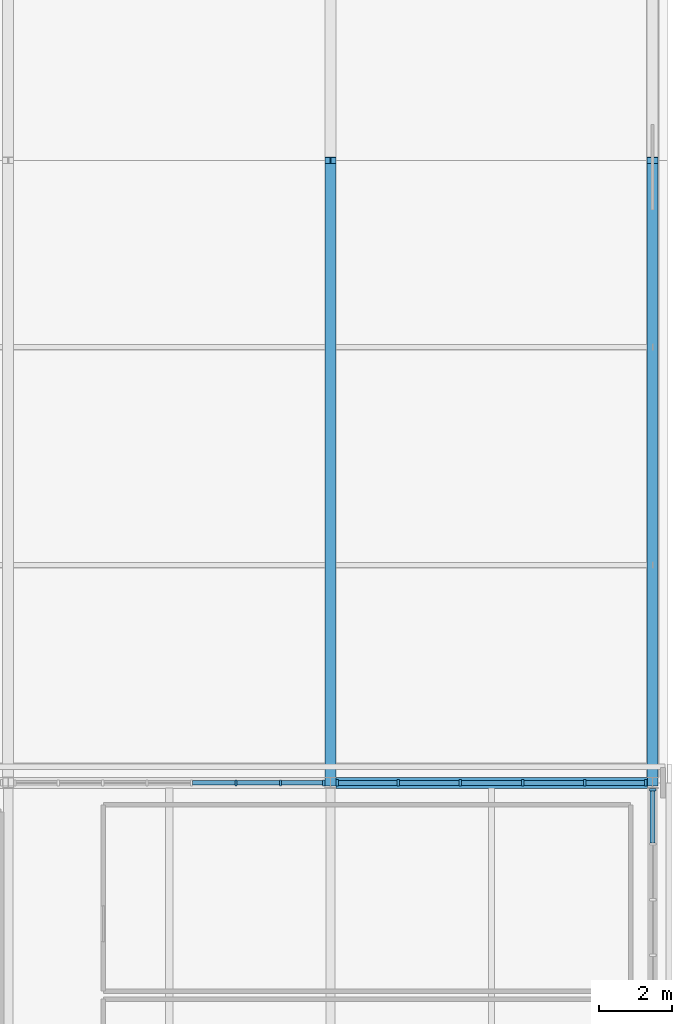
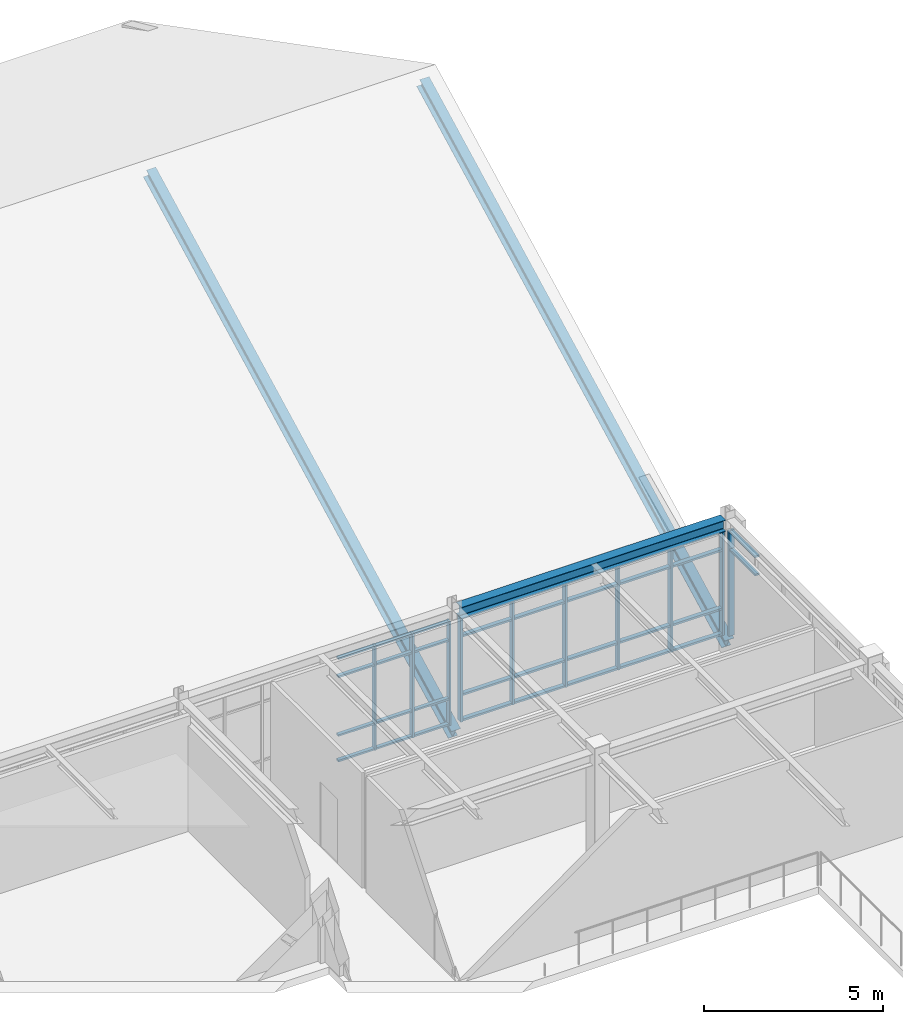
# One storey, part 20 of 45: 46 members, 1 beam, 3 elements without a shape of their own.
"""IFC4 building model written with IfcOpenShell, lengths in metres."""

from ifc_helpers import new_model, si_unit, direction, frame, origin, origin_2d, place, context, subcontext, project, spatial, rectangle, i_section, extrude, material, material_profile, profile_set, type_object, element, aggregate, save


model = new_model("IFC4")

# Units and contexts
model_context = context("Model", 3, precision=1e-05, world=origin(), true_north=direction((0.0, 1.0)))
body_context = subcontext(model_context, "Body", "Model", "MODEL_VIEW")
ifc_project = project(units=[si_unit("LENGTHUNIT", "METRE"), si_unit("AREAUNIT", "SQUARE_METRE"), si_unit("VOLUMEUNIT", "CUBIC_METRE"), si_unit("PLANEANGLEUNIT", "RADIAN"), si_unit("MASSUNIT", "GRAM", prefix="KILO")], contexts=[model_context])

# Site, building, storey
site_placement = place(None, origin())
site = spatial("IfcSite", under=ifc_project, at=site_placement, CompositionType="ELEMENT")
building_placement = place(site_placement, origin())
building = spatial("IfcBuilding", under=site, at=building_placement, Name="Zhaolan Boulevard Law Courts", CompositionType="ELEMENT")
storey_placement = place(building_placement, frame((0.0, 0.0, 24.60009765625)))
storey = spatial("IfcBuildingStorey", under=building, at=storey_placement, Name="L05", CompositionType="ELEMENT", Elevation=24.60009765625)

# Curtain wall, members
ifc_material_1 = material(Name="Thermally broken aluminium and low-E glazing", Category="aluminium")
curtain_wall_type_1 = type_object("IfcCurtainWallType", Name="CURTAIN WALL M18", PredefinedType="USERDEFINED", material=ifc_material_1)
curtain_wall_1_placement = place(storey_placement, origin())
curtain_wall_1 = element("IfcCurtainWall", 1, at=curtain_wall_1_placement, inside=storey, type_object=curtain_wall_type_1, Name="Curtain Wall CW-L05-210", ObjectType="CURTAIN WALL", PredefinedType="USERDEFINED")
ifc_material_2 = material(Name="Fluorocarbon-coated aluminium 6063-T6", Category="aluminium")
ifc_material_profile_1 = material_profile(ifc_material_2, rectangle(XDim=0.159912109375, YDim=0.06005859375, at=origin_2d()), Name="AL60x160")
ifc_profile_set_1 = profile_set([ifc_material_profile_1], Name="Fluorocarbon-coated aluminium 6063-T6")
member_type_1 = type_object("IfcMemberType", Name="CWMULLION 60X160", PredefinedType="MULLION", material=ifc_profile_set_1)
member_1_placement = place(storey_placement, frame((35.01806640625, 78.0, 0.0), z_axis=(0.0, 0.0, 1.0), x_axis=(0.0, -1.0, 0.0)))
member_1 = element("IfcMember", 2, at=member_1_placement, type_object=member_type_1, Name="CW-L05-210 mullion 1", PredefinedType="MULLION", context=body_context, shape_type="SweptSolid", body=[
    extrude(rectangle(XDim=0.159912109375, YDim=0.06005859375, at=origin_2d()), origin(), (0.0, 0.0, 1.0), 3.54296875),
])
member_2_placement = place(storey_placement, frame((33.834228515625, 78.0, 0.0), z_axis=(0.0, 0.0, 1.0), x_axis=(0.0, -1.0, 0.0)))
member_2 = element("IfcMember", 3, at=member_2_placement, type_object=member_type_1, Name="CW-L05-210 mullion 2", PredefinedType="MULLION", context=body_context, shape_type="SweptSolid", body=[
    extrude(rectangle(XDim=0.159912109375, YDim=0.06005859375, at=origin_2d()), origin(), (0.0, 0.0, 1.0), 3.54296875),
])
member_3_placement = place(storey_placement, frame((32.62060546875, 78.0, 0.0), z_axis=(0.0, 0.0, 1.0), x_axis=(0.0, -1.0, 0.0)))
member_3 = element("IfcMember", 4, at=member_3_placement, type_object=member_type_1, Name="CW-L05-210 mullion 3", PredefinedType="MULLION", context=body_context, shape_type="SweptSolid", body=[
    extrude(rectangle(XDim=0.159912109375, YDim=0.06005859375, at=origin_2d()), origin(), (0.0, 0.0, 1.0), 3.54296875),
])

ifc_material_3 = material(Name="Thermally broken aluminium and low-E glazing", Category="aluminium")
curtain_wall_type_2 = type_object("IfcCurtainWallType", Name="CURTAIN WALL M19", PredefinedType="USERDEFINED", material=ifc_material_3)
curtain_wall_2_placement = place(storey_placement, origin())
curtain_wall_2 = element("IfcCurtainWall", 5, at=curtain_wall_2_placement, inside=storey, type_object=curtain_wall_type_2, Name="Curtain Wall CW-L05-211", ObjectType="CURTAIN WALL", PredefinedType="USERDEFINED")
ifc_material_4 = material(Name="Fluorocarbon-coated aluminium 6063-T6", Category="aluminium")
ifc_material_profile_2 = material_profile(ifc_material_4, rectangle(XDim=0.179931640625, YDim=0.06494140625, at=origin_2d()), Name="AL65x180")
ifc_profile_set_2 = profile_set([ifc_material_profile_2], Name="Fluorocarbon-coated aluminium 6063-T6")
member_type_2 = type_object("IfcMemberType", Name="CWMULLION 65X180", PredefinedType="MULLION", material=ifc_profile_set_2)
member_4_placement = place(storey_placement, frame((43.8154296875, 78.0, 0.0), z_axis=(0.0, 0.0, 1.0), x_axis=(0.0, -1.0, 0.0)))
member_4 = element("IfcMember", 6, at=member_4_placement, type_object=member_type_2, Name="CW-L05-211 mullion 1", PredefinedType="MULLION", context=body_context, shape_type="SweptSolid", body=[
    extrude(rectangle(XDim=0.179931640625, YDim=0.06494140625, at=origin_2d()), origin(), (0.0, 0.0, 1.0), 3.54296875),
])
member_5_placement = place(storey_placement, frame((42.148681640625, 78.0, 0.0), z_axis=(0.0, 0.0, 1.0), x_axis=(0.0, -1.0, 0.0)))
member_5 = element("IfcMember", 7, at=member_5_placement, type_object=member_type_2, Name="CW-L05-211 mullion 2", PredefinedType="MULLION", context=body_context, shape_type="SweptSolid", body=[
    extrude(rectangle(XDim=0.179931640625, YDim=0.06494140625, at=origin_2d()), origin(), (0.0, 0.0, 1.0), 3.54296875),
])
member_6_placement = place(storey_placement, frame((40.44970703125, 78.0, 0.0), z_axis=(0.0, 0.0, 1.0), x_axis=(0.0, -1.0, 0.0)))
member_6 = element("IfcMember", 8, at=member_6_placement, type_object=member_type_2, Name="CW-L05-211 mullion 3", PredefinedType="MULLION", context=body_context, shape_type="SweptSolid", body=[
    extrude(rectangle(XDim=0.179931640625, YDim=0.06494140625, at=origin_2d()), origin(), (0.0, 0.0, 1.0), 3.54296875),
])
member_7_placement = place(storey_placement, frame((38.75048828125, 78.0, 0.0), z_axis=(0.0, 0.0, 1.0), x_axis=(0.0, -1.0, 0.0)))
member_7 = element("IfcMember", 9, at=member_7_placement, type_object=member_type_2, Name="CW-L05-211 mullion 4", PredefinedType="MULLION", context=body_context, shape_type="SweptSolid", body=[
    extrude(rectangle(XDim=0.179931640625, YDim=0.06494140625, at=origin_2d()), origin(), (0.0, 0.0, 1.0), 3.54296875),
])
member_8_placement = place(storey_placement, frame((37.05126953125, 78.0, 0.0), z_axis=(0.0, 0.0, 1.0), x_axis=(0.0, -1.0, 0.0)))
member_8 = element("IfcMember", 10, at=member_8_placement, type_object=member_type_2, Name="CW-L05-211 mullion 5", PredefinedType="MULLION", context=body_context, shape_type="SweptSolid", body=[
    extrude(rectangle(XDim=0.179931640625, YDim=0.06494140625, at=origin_2d()), origin(), (0.0, 0.0, 1.0), 3.54296875),
])
member_9_placement = place(storey_placement, frame((35.384521484375, 78.0, 0.0), z_axis=(0.0, 0.0, 1.0), x_axis=(0.0, -1.0, 0.0)))
member_9 = element("IfcMember", 11, at=member_9_placement, type_object=member_type_2, Name="CW-L05-211 mullion 6", PredefinedType="MULLION", context=body_context, shape_type="SweptSolid", body=[
    extrude(rectangle(XDim=0.179931640625, YDim=0.06494140625, at=origin_2d()), origin(), (0.0, 0.0, 1.0), 3.54296875),
])

# Curtain wall, member
ifc_material_5 = material(Name="Thermally broken aluminium and low-E glazing", Category="aluminium")
curtain_wall_type_3 = type_object("IfcCurtainWallType", Name="CURTAIN WALL M7", PredefinedType="USERDEFINED", material=ifc_material_5)
curtain_wall_3_placement = place(storey_placement, origin())
curtain_wall_3 = element("IfcCurtainWall", 12, at=curtain_wall_3_placement, inside=storey, type_object=curtain_wall_type_3, Name="Curtain Wall CW-L05-223", ObjectType="CURTAIN WALL", PredefinedType="USERDEFINED")
member_10_placement = place(storey_placement, frame((44.0, 77.8154296875, 0.0), z_axis=(0.0, 0.0, 1.0), x_axis=(-1.0, 0.0, 0.0)))
member_10 = element("IfcMember", 13, at=member_10_placement, type_object=member_type_2, Name="CW-L05-223 mullion 6", PredefinedType="MULLION", context=body_context, shape_type="SweptSolid", body=[
    extrude(rectangle(XDim=0.179931640625, YDim=0.06494140625, at=origin_2d()), origin(), (0.0, 0.0, 1.0), 3.593017578125),
])

# Member
ifc_material_6 = material(Name="Fluorocarbon-coated aluminium 6063-T6", Category="aluminium")
ifc_material_profile_3 = material_profile(ifc_material_6, rectangle(XDim=0.1201171875, YDim=0.06005859375, at=origin_2d()), Name="AL60x120")
ifc_profile_set_3 = profile_set([ifc_material_profile_3], Name="Fluorocarbon-coated aluminium 6063-T6")
member_type_3 = type_object("IfcMemberType", Name="CWTRANSOM 60X120", PredefinedType="USERDEFINED", material=ifc_profile_set_3)
member_11_placement = place(storey_placement, frame((34.988037109375, 78.0, 0.02978515625), z_axis=(-1.0, 0.0, 0.0), x_axis=(0.0, -1.0, 0.0)))
member_11 = element("IfcMember", 14, at=member_11_placement, type_object=member_type_3, Name="CW-L05-210 transom 1.1", ObjectType="TRANSOM", PredefinedType="USERDEFINED", context=body_context, shape_type="SweptSolid", body=[
    extrude(rectangle(XDim=0.1201171875, YDim=0.06005859375, at=origin_2d()), origin(), (0.0, 0.0, 1.0), 1.123779296875),
])

member_12_placement = place(storey_placement, frame((34.988037109375, 78.0, 0.89990234375), z_axis=(-1.0, 0.0, 0.0), x_axis=(0.0, -1.0, 0.0)))
member_12 = element("IfcMember", 15, at=member_12_placement, type_object=member_type_3, Name="CW-L05-210 transom 1.2", ObjectType="TRANSOM", PredefinedType="USERDEFINED", context=body_context, shape_type="SweptSolid", body=[
    extrude(rectangle(XDim=0.1201171875, YDim=0.06005859375, at=origin_2d()), origin(), (0.0, 0.0, 1.0), 1.123779296875),
])

member_13_placement = place(storey_placement, frame((34.988037109375, 78.0, 2.892822265625), z_axis=(-1.0, 0.0, 0.0), x_axis=(0.0, -1.0, 0.0)))
member_13 = element("IfcMember", 16, at=member_13_placement, type_object=member_type_3, Name="CW-L05-210 transom 1.3", ObjectType="TRANSOM", PredefinedType="USERDEFINED", context=body_context, shape_type="SweptSolid", body=[
    extrude(rectangle(XDim=0.1201171875, YDim=0.06005859375, at=origin_2d()), origin(), (0.0, 0.0, 1.0), 1.123779296875),
])

member_14_placement = place(storey_placement, frame((34.988037109375, 78.0, 3.512939453125), z_axis=(-1.0, 0.0, 0.0), x_axis=(0.0, -1.0, 0.0)))
member_14 = element("IfcMember", 17, at=member_14_placement, type_object=member_type_3, Name="CW-L05-210 transom 1.4", ObjectType="TRANSOM", PredefinedType="USERDEFINED", context=body_context, shape_type="SweptSolid", body=[
    extrude(rectangle(XDim=0.1201171875, YDim=0.06005859375, at=origin_2d()), origin(), (0.0, 0.0, 1.0), 1.123779296875),
])

member_15_placement = place(storey_placement, frame((33.80419921875, 78.0, 0.02978515625), z_axis=(-1.0, 0.0, 0.0), x_axis=(0.0, -1.0, 0.0)))
member_15 = element("IfcMember", 18, at=member_15_placement, type_object=member_type_3, Name="CW-L05-210 transom 2.1", ObjectType="TRANSOM", PredefinedType="USERDEFINED", context=body_context, shape_type="SweptSolid", body=[
    extrude(rectangle(XDim=0.1201171875, YDim=0.06005859375, at=origin_2d()), origin(), (0.0, 0.0, 1.0), 1.153564453125),
])

member_16_placement = place(storey_placement, frame((33.80419921875, 78.0, 0.89990234375), z_axis=(-1.0, 0.0, 0.0), x_axis=(0.0, -1.0, 0.0)))
member_16 = element("IfcMember", 19, at=member_16_placement, type_object=member_type_3, Name="CW-L05-210 transom 2.2", ObjectType="TRANSOM", PredefinedType="USERDEFINED", context=body_context, shape_type="SweptSolid", body=[
    extrude(rectangle(XDim=0.1201171875, YDim=0.06005859375, at=origin_2d()), origin(), (0.0, 0.0, 1.0), 1.153564453125),
])

member_17_placement = place(storey_placement, frame((33.80419921875, 78.0, 2.892822265625), z_axis=(-1.0, 0.0, 0.0), x_axis=(0.0, -1.0, 0.0)))
member_17 = element("IfcMember", 20, at=member_17_placement, type_object=member_type_3, Name="CW-L05-210 transom 2.3", ObjectType="TRANSOM", PredefinedType="USERDEFINED", context=body_context, shape_type="SweptSolid", body=[
    extrude(rectangle(XDim=0.1201171875, YDim=0.06005859375, at=origin_2d()), origin(), (0.0, 0.0, 1.0), 1.153564453125),
])

member_18_placement = place(storey_placement, frame((33.80419921875, 78.0, 3.512939453125), z_axis=(-1.0, 0.0, 0.0), x_axis=(0.0, -1.0, 0.0)))
member_18 = element("IfcMember", 21, at=member_18_placement, type_object=member_type_3, Name="CW-L05-210 transom 2.4", ObjectType="TRANSOM", PredefinedType="USERDEFINED", context=body_context, shape_type="SweptSolid", body=[
    extrude(rectangle(XDim=0.1201171875, YDim=0.06005859375, at=origin_2d()), origin(), (0.0, 0.0, 1.0), 1.153564453125),
])

member_19_placement = place(storey_placement, frame((32.590576171875, 78.0, 0.02978515625), z_axis=(-1.0, 0.0, 0.0), x_axis=(0.0, -1.0, 0.0)))
member_19 = element("IfcMember", 22, at=member_19_placement, type_object=member_type_3, Name="CW-L05-210 transom 3.1", ObjectType="TRANSOM", PredefinedType="USERDEFINED", context=body_context, shape_type="SweptSolid", body=[
    extrude(rectangle(XDim=0.1201171875, YDim=0.06005859375, at=origin_2d()), origin(), (0.0, 0.0, 1.0), 1.15380859375),
])

member_20_placement = place(storey_placement, frame((32.590576171875, 78.0, 0.89990234375), z_axis=(-1.0, 0.0, 0.0), x_axis=(0.0, -1.0, 0.0)))
member_20 = element("IfcMember", 23, at=member_20_placement, type_object=member_type_3, Name="CW-L05-210 transom 3.2", ObjectType="TRANSOM", PredefinedType="USERDEFINED", context=body_context, shape_type="SweptSolid", body=[
    extrude(rectangle(XDim=0.1201171875, YDim=0.06005859375, at=origin_2d()), origin(), (0.0, 0.0, 1.0), 1.15380859375),
])

member_21_placement = place(storey_placement, frame((32.590576171875, 78.0, 2.892822265625), z_axis=(-1.0, 0.0, 0.0), x_axis=(0.0, -1.0, 0.0)))
member_21 = element("IfcMember", 24, at=member_21_placement, type_object=member_type_3, Name="CW-L05-210 transom 3.3", ObjectType="TRANSOM", PredefinedType="USERDEFINED", context=body_context, shape_type="SweptSolid", body=[
    extrude(rectangle(XDim=0.1201171875, YDim=0.06005859375, at=origin_2d()), origin(), (0.0, 0.0, 1.0), 1.15380859375),
])

member_22_placement = place(storey_placement, frame((32.590576171875, 78.0, 3.512939453125), z_axis=(-1.0, 0.0, 0.0), x_axis=(0.0, -1.0, 0.0)))
member_22 = element("IfcMember", 25, at=member_22_placement, type_object=member_type_3, Name="CW-L05-210 transom 3.4", ObjectType="TRANSOM", PredefinedType="USERDEFINED", context=body_context, shape_type="SweptSolid", body=[
    extrude(rectangle(XDim=0.1201171875, YDim=0.06005859375, at=origin_2d()), origin(), (0.0, 0.0, 1.0), 1.15380859375),
])

aggregate(curtain_wall_1, [member_1, member_2, member_3, member_11, member_12, member_13, member_14, member_15, member_16, member_17, member_18, member_19, member_20, member_21, member_22])

ifc_material_7 = material(Name="Fluorocarbon-coated aluminium 6063-T6", Category="aluminium")
ifc_material_profile_4 = material_profile(ifc_material_7, rectangle(XDim=0.139892578125, YDim=0.06494140625, at=origin_2d()), Name="AL65x140")
ifc_profile_set_4 = profile_set([ifc_material_profile_4], Name="Fluorocarbon-coated aluminium 6063-T6")
member_type_4 = type_object("IfcMemberType", Name="CWTRANSOM 65X140", PredefinedType="USERDEFINED", material=ifc_profile_set_4)
member_23_placement = place(storey_placement, frame((43.782958984375, 78.0, 0.032470703125), z_axis=(-1.0, 0.0, 0.0), x_axis=(0.0, -1.0, 0.0)))
member_23 = element("IfcMember", 26, at=member_23_placement, type_object=member_type_4, Name="CW-L05-211 transom 1.1", ObjectType="TRANSOM", PredefinedType="USERDEFINED", context=body_context, shape_type="SweptSolid", body=[
    extrude(rectangle(XDim=0.139892578125, YDim=0.06494140625, at=origin_2d()), origin(), (0.0, 0.0, 1.0), 1.6015625),
])

member_24_placement = place(storey_placement, frame((43.782958984375, 78.0, 0.89990234375), z_axis=(-1.0, 0.0, 0.0), x_axis=(0.0, -1.0, 0.0)))
member_24 = element("IfcMember", 27, at=member_24_placement, type_object=member_type_4, Name="CW-L05-211 transom 1.2", ObjectType="TRANSOM", PredefinedType="USERDEFINED", context=body_context, shape_type="SweptSolid", body=[
    extrude(rectangle(XDim=0.139892578125, YDim=0.06494140625, at=origin_2d()), origin(), (0.0, 0.0, 1.0), 1.6015625),
])

member_25_placement = place(storey_placement, frame((43.782958984375, 78.0, 2.892822265625), z_axis=(-1.0, 0.0, 0.0), x_axis=(0.0, -1.0, 0.0)))
member_25 = element("IfcMember", 28, at=member_25_placement, type_object=member_type_4, Name="CW-L05-211 transom 1.3", ObjectType="TRANSOM", PredefinedType="USERDEFINED", context=body_context, shape_type="SweptSolid", body=[
    extrude(rectangle(XDim=0.139892578125, YDim=0.06494140625, at=origin_2d()), origin(), (0.0, 0.0, 1.0), 1.6015625),
])

member_26_placement = place(storey_placement, frame((43.782958984375, 78.0, 3.510498046875), z_axis=(-1.0, 0.0, 0.0), x_axis=(0.0, -1.0, 0.0)))
member_26 = element("IfcMember", 29, at=member_26_placement, type_object=member_type_4, Name="CW-L05-211 transom 1.4", ObjectType="TRANSOM", PredefinedType="USERDEFINED", context=body_context, shape_type="SweptSolid", body=[
    extrude(rectangle(XDim=0.139892578125, YDim=0.06494140625, at=origin_2d()), origin(), (0.0, 0.0, 1.0), 1.6015625),
])

member_27_placement = place(storey_placement, frame((42.1162109375, 78.0, 0.032470703125), z_axis=(-1.0, 0.0, 0.0), x_axis=(0.0, -1.0, 0.0)))
member_27 = element("IfcMember", 30, at=member_27_placement, type_object=member_type_4, Name="CW-L05-211 transom 2.1", ObjectType="TRANSOM", PredefinedType="USERDEFINED", context=body_context, shape_type="SweptSolid", body=[
    extrude(rectangle(XDim=0.139892578125, YDim=0.06494140625, at=origin_2d()), origin(), (0.0, 0.0, 1.0), 1.634033203125),
])

member_28_placement = place(storey_placement, frame((42.1162109375, 78.0, 0.89990234375), z_axis=(-1.0, 0.0, 0.0), x_axis=(0.0, -1.0, 0.0)))
member_28 = element("IfcMember", 31, at=member_28_placement, type_object=member_type_4, Name="CW-L05-211 transom 2.2", ObjectType="TRANSOM", PredefinedType="USERDEFINED", context=body_context, shape_type="SweptSolid", body=[
    extrude(rectangle(XDim=0.139892578125, YDim=0.06494140625, at=origin_2d()), origin(), (0.0, 0.0, 1.0), 1.634033203125),
])

member_29_placement = place(storey_placement, frame((42.1162109375, 78.0, 2.892822265625), z_axis=(-1.0, 0.0, 0.0), x_axis=(0.0, -1.0, 0.0)))
member_29 = element("IfcMember", 32, at=member_29_placement, type_object=member_type_4, Name="CW-L05-211 transom 2.3", ObjectType="TRANSOM", PredefinedType="USERDEFINED", context=body_context, shape_type="SweptSolid", body=[
    extrude(rectangle(XDim=0.139892578125, YDim=0.06494140625, at=origin_2d()), origin(), (0.0, 0.0, 1.0), 1.634033203125),
])

member_30_placement = place(storey_placement, frame((42.1162109375, 78.0, 3.510498046875), z_axis=(-1.0, 0.0, 0.0), x_axis=(0.0, -1.0, 0.0)))
member_30 = element("IfcMember", 33, at=member_30_placement, type_object=member_type_4, Name="CW-L05-211 transom 2.4", ObjectType="TRANSOM", PredefinedType="USERDEFINED", context=body_context, shape_type="SweptSolid", body=[
    extrude(rectangle(XDim=0.139892578125, YDim=0.06494140625, at=origin_2d()), origin(), (0.0, 0.0, 1.0), 1.634033203125),
])

member_31_placement = place(storey_placement, frame((40.4169921875, 78.0, 0.032470703125), z_axis=(-1.0, 0.0, 0.0), x_axis=(0.0, -1.0, 0.0)))
member_31 = element("IfcMember", 34, at=member_31_placement, type_object=member_type_4, Name="CW-L05-211 transom 3.1", ObjectType="TRANSOM", PredefinedType="USERDEFINED", context=body_context, shape_type="SweptSolid", body=[
    extrude(rectangle(XDim=0.139892578125, YDim=0.06494140625, at=origin_2d()), origin(), (0.0, 0.0, 1.0), 1.634033203125),
])

member_32_placement = place(storey_placement, frame((40.4169921875, 78.0, 0.89990234375), z_axis=(-1.0, 0.0, 0.0), x_axis=(0.0, -1.0, 0.0)))
member_32 = element("IfcMember", 35, at=member_32_placement, type_object=member_type_4, Name="CW-L05-211 transom 3.2", ObjectType="TRANSOM", PredefinedType="USERDEFINED", context=body_context, shape_type="SweptSolid", body=[
    extrude(rectangle(XDim=0.139892578125, YDim=0.06494140625, at=origin_2d()), origin(), (0.0, 0.0, 1.0), 1.634033203125),
])

member_33_placement = place(storey_placement, frame((40.4169921875, 78.0, 2.892822265625), z_axis=(-1.0, 0.0, 0.0), x_axis=(0.0, -1.0, 0.0)))
member_33 = element("IfcMember", 36, at=member_33_placement, type_object=member_type_4, Name="CW-L05-211 transom 3.3", ObjectType="TRANSOM", PredefinedType="USERDEFINED", context=body_context, shape_type="SweptSolid", body=[
    extrude(rectangle(XDim=0.139892578125, YDim=0.06494140625, at=origin_2d()), origin(), (0.0, 0.0, 1.0), 1.634033203125),
])

member_34_placement = place(storey_placement, frame((40.4169921875, 78.0, 3.510498046875), z_axis=(-1.0, 0.0, 0.0), x_axis=(0.0, -1.0, 0.0)))
member_34 = element("IfcMember", 37, at=member_34_placement, type_object=member_type_4, Name="CW-L05-211 transom 3.4", ObjectType="TRANSOM", PredefinedType="USERDEFINED", context=body_context, shape_type="SweptSolid", body=[
    extrude(rectangle(XDim=0.139892578125, YDim=0.06494140625, at=origin_2d()), origin(), (0.0, 0.0, 1.0), 1.634033203125),
])

member_35_placement = place(storey_placement, frame((38.718017578125, 78.0, 0.032470703125), z_axis=(-1.0, 0.0, 0.0), x_axis=(0.0, -1.0, 0.0)))
member_35 = element("IfcMember", 38, at=member_35_placement, type_object=member_type_4, Name="CW-L05-211 transom 4.1", ObjectType="TRANSOM", PredefinedType="USERDEFINED", context=body_context, shape_type="SweptSolid", body=[
    extrude(rectangle(XDim=0.139892578125, YDim=0.06494140625, at=origin_2d()), origin(), (0.0, 0.0, 1.0), 1.63427734375),
])

member_36_placement = place(storey_placement, frame((38.718017578125, 78.0, 0.89990234375), z_axis=(-1.0, 0.0, 0.0), x_axis=(0.0, -1.0, 0.0)))
member_36 = element("IfcMember", 39, at=member_36_placement, type_object=member_type_4, Name="CW-L05-211 transom 4.2", ObjectType="TRANSOM", PredefinedType="USERDEFINED", context=body_context, shape_type="SweptSolid", body=[
    extrude(rectangle(XDim=0.139892578125, YDim=0.06494140625, at=origin_2d()), origin(), (0.0, 0.0, 1.0), 1.63427734375),
])

member_37_placement = place(storey_placement, frame((38.718017578125, 78.0, 2.892822265625), z_axis=(-1.0, 0.0, 0.0), x_axis=(0.0, -1.0, 0.0)))
member_37 = element("IfcMember", 40, at=member_37_placement, type_object=member_type_4, Name="CW-L05-211 transom 4.3", ObjectType="TRANSOM", PredefinedType="USERDEFINED", context=body_context, shape_type="SweptSolid", body=[
    extrude(rectangle(XDim=0.139892578125, YDim=0.06494140625, at=origin_2d()), origin(), (0.0, 0.0, 1.0), 1.63427734375),
])

member_38_placement = place(storey_placement, frame((38.718017578125, 78.0, 3.510498046875), z_axis=(-1.0, 0.0, 0.0), x_axis=(0.0, -1.0, 0.0)))
member_38 = element("IfcMember", 41, at=member_38_placement, type_object=member_type_4, Name="CW-L05-211 transom 4.4", ObjectType="TRANSOM", PredefinedType="USERDEFINED", context=body_context, shape_type="SweptSolid", body=[
    extrude(rectangle(XDim=0.139892578125, YDim=0.06494140625, at=origin_2d()), origin(), (0.0, 0.0, 1.0), 1.63427734375),
])

member_39_placement = place(storey_placement, frame((37.018798828125, 78.0, 0.032470703125), z_axis=(-1.0, 0.0, 0.0), x_axis=(0.0, -1.0, 0.0)))
member_39 = element("IfcMember", 42, at=member_39_placement, type_object=member_type_4, Name="CW-L05-211 transom 5.1", ObjectType="TRANSOM", PredefinedType="USERDEFINED", context=body_context, shape_type="SweptSolid", body=[
    extrude(rectangle(XDim=0.139892578125, YDim=0.06494140625, at=origin_2d()), origin(), (0.0, 0.0, 1.0), 1.601806640625),
])

member_40_placement = place(storey_placement, frame((37.018798828125, 78.0, 0.89990234375), z_axis=(-1.0, 0.0, 0.0), x_axis=(0.0, -1.0, 0.0)))
member_40 = element("IfcMember", 43, at=member_40_placement, type_object=member_type_4, Name="CW-L05-211 transom 5.2", ObjectType="TRANSOM", PredefinedType="USERDEFINED", context=body_context, shape_type="SweptSolid", body=[
    extrude(rectangle(XDim=0.139892578125, YDim=0.06494140625, at=origin_2d()), origin(), (0.0, 0.0, 1.0), 1.601806640625),
])

member_41_placement = place(storey_placement, frame((37.018798828125, 78.0, 2.892822265625), z_axis=(-1.0, 0.0, 0.0), x_axis=(0.0, -1.0, 0.0)))
member_41 = element("IfcMember", 44, at=member_41_placement, type_object=member_type_4, Name="CW-L05-211 transom 5.3", ObjectType="TRANSOM", PredefinedType="USERDEFINED", context=body_context, shape_type="SweptSolid", body=[
    extrude(rectangle(XDim=0.139892578125, YDim=0.06494140625, at=origin_2d()), origin(), (0.0, 0.0, 1.0), 1.601806640625),
])

member_42_placement = place(storey_placement, frame((37.018798828125, 78.0, 3.510498046875), z_axis=(-1.0, 0.0, 0.0), x_axis=(0.0, -1.0, 0.0)))
member_42 = element("IfcMember", 45, at=member_42_placement, type_object=member_type_4, Name="CW-L05-211 transom 5.4", ObjectType="TRANSOM", PredefinedType="USERDEFINED", context=body_context, shape_type="SweptSolid", body=[
    extrude(rectangle(XDim=0.139892578125, YDim=0.06494140625, at=origin_2d()), origin(), (0.0, 0.0, 1.0), 1.601806640625),
])

aggregate(curtain_wall_2, [member_4, member_5, member_6, member_7, member_8, member_9, member_23, member_24, member_25, member_26, member_27, member_28, member_29, member_30, member_31, member_32, member_33, member_34, member_35, member_36, member_37, member_38, member_39, member_40, member_41, member_42])

member_43_placement = place(storey_placement, frame((44.0, 76.361328125, 2.94287109375), z_axis=(0.0, 1.0, 0.0), x_axis=(-1.0, 0.0, 0.0)))
member_43 = element("IfcMember", 46, at=member_43_placement, type_object=member_type_4, Name="CW-L05-223 transom 5.3", ObjectType="TRANSOM", PredefinedType="USERDEFINED", context=body_context, shape_type="SweptSolid", body=[
    extrude(rectangle(XDim=0.139892578125, YDim=0.06494140625, at=origin_2d()), origin(), (0.0, 0.0, 1.0), 1.421630859375),
])

member_44_placement = place(storey_placement, frame((44.0, 76.361328125, 3.560302734375), z_axis=(0.0, 1.0, 0.0), x_axis=(-1.0, 0.0, 0.0)))
member_44 = element("IfcMember", 47, at=member_44_placement, type_object=member_type_4, Name="CW-L05-223 transom 5.4", ObjectType="TRANSOM", PredefinedType="USERDEFINED", context=body_context, shape_type="SweptSolid", body=[
    extrude(rectangle(XDim=0.139892578125, YDim=0.06494140625, at=origin_2d()), origin(), (0.0, 0.0, 1.0), 1.421630859375),
])

aggregate(curtain_wall_3, [member_10, member_43, member_44])

# Beam
ifc_material_8 = material(Name="Structural steel Q355B", Category="steel")
ifc_material_profile_5 = material_profile(ifc_material_8, i_section(OverallWidth=0.300048828125, OverallDepth=0.389892578125, WebThickness=0.010009765625, FlangeThickness=0.01611328125, FilletRadius=0.01806640625, at=origin_2d()), Name="HM390x300")
ifc_profile_set_5 = profile_set([ifc_material_profile_5], Name="Structural steel Q355B")
beam_type = type_object("IfcBeamType", Name="GIRDER HM390", PredefinedType="BEAM", material=ifc_profile_set_5)
beam_placement = place(storey_placement, frame((35.345947265625, 78.0, 3.7529296875), z_axis=(1.0, 0.0, 0.0), x_axis=(0.0, 1.0, 0.0)))
element("IfcBeam", 48, at=beam_placement, inside=storey, type_object=beam_type, Name="Beam BX-L06-5-6-L", PredefinedType="BEAM", context=body_context, shape_type="SweptSolid", body=[
    extrude(i_section(OverallWidth=0.300048828125, OverallDepth=0.389892578125, WebThickness=0.010009765625, FlangeThickness=0.01611328125, FilletRadius=0.01806640625, at=origin_2d()), origin(), (0.0, 0.0, 1.0), 8.508056640625),
])

# Members
ifc_material_9 = material(Name="Structural steel Q355B", Category="steel")
ifc_material_profile_6 = material_profile(ifc_material_9, i_section(OverallWidth=0.300048828125, OverallDepth=0.389892578125, WebThickness=0.010009765625, FlangeThickness=0.01611328125, FilletRadius=0.01806640625, at=origin_2d()), Name="HM390x300")
ifc_profile_set_6 = profile_set([ifc_material_profile_6], Name="Structural steel Q355B")
member_type_5 = type_object("IfcMemberType", Name="RAFTER HM390", PredefinedType="RAFTER", material=ifc_profile_set_6)
for number, where, z_axis, x_axis, name in (
    (49, (35.199951171875, 78.0, -0.379150390625), (0.0, 0.888069541, 0.459709136681), (-1.0, 0.0, 0.0), "Law Library Rafter LRF-S"),
    (50, (44.0, 78.0, -0.379150390625), (0.0, 0.888069541, 0.459709136681), (-1.0, 0.0, 0.0), "Law Library Rafter LRF-S"),
):
    element("IfcMember", number, at=place(storey_placement, frame(where, z_axis=z_axis, x_axis=x_axis)), inside=storey, type_object=member_type_5, Name=name, PredefinedType="RAFTER", context=body_context, shape_type="SweptSolid", body=[
        extrude(i_section(OverallWidth=0.300048828125, OverallDepth=0.389892578125, WebThickness=0.010009765625, FlangeThickness=0.01611328125, FilletRadius=0.01806640625, at=origin_2d()), origin(), (0.0, 0.0, 1.0), 19.142578125),
    ])

save(model, "model.ifc")
